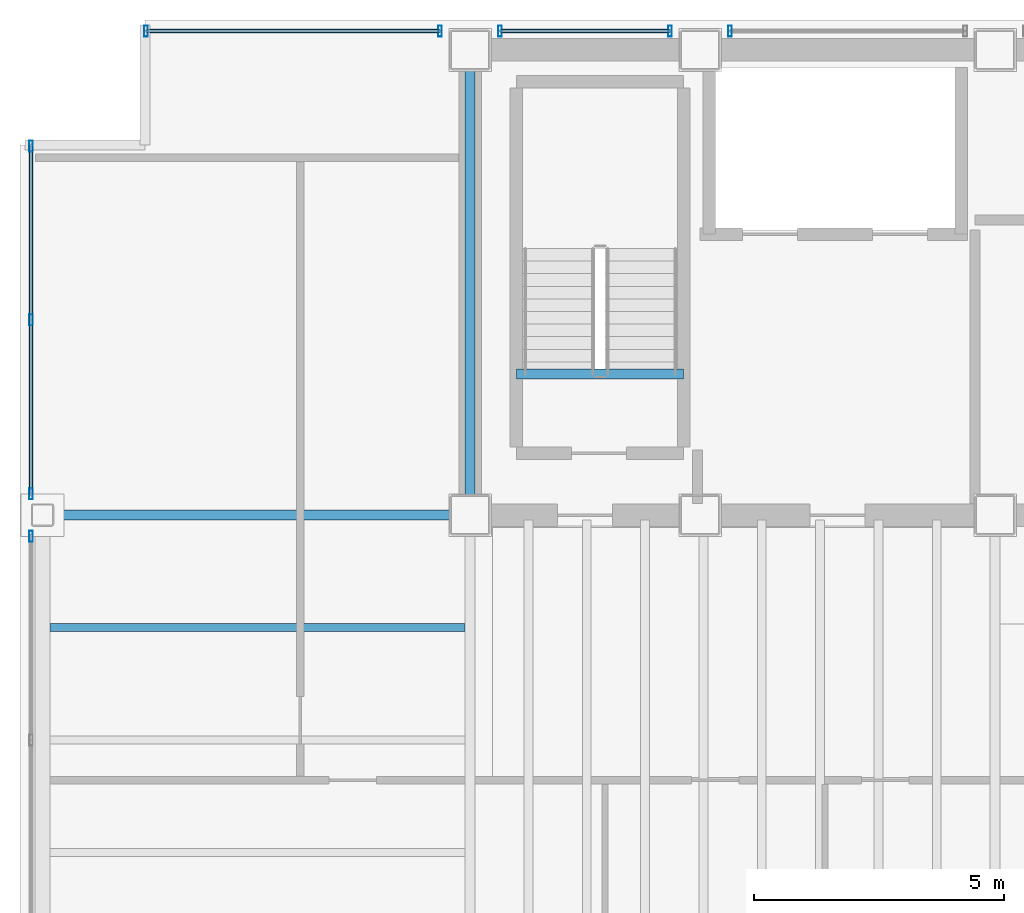
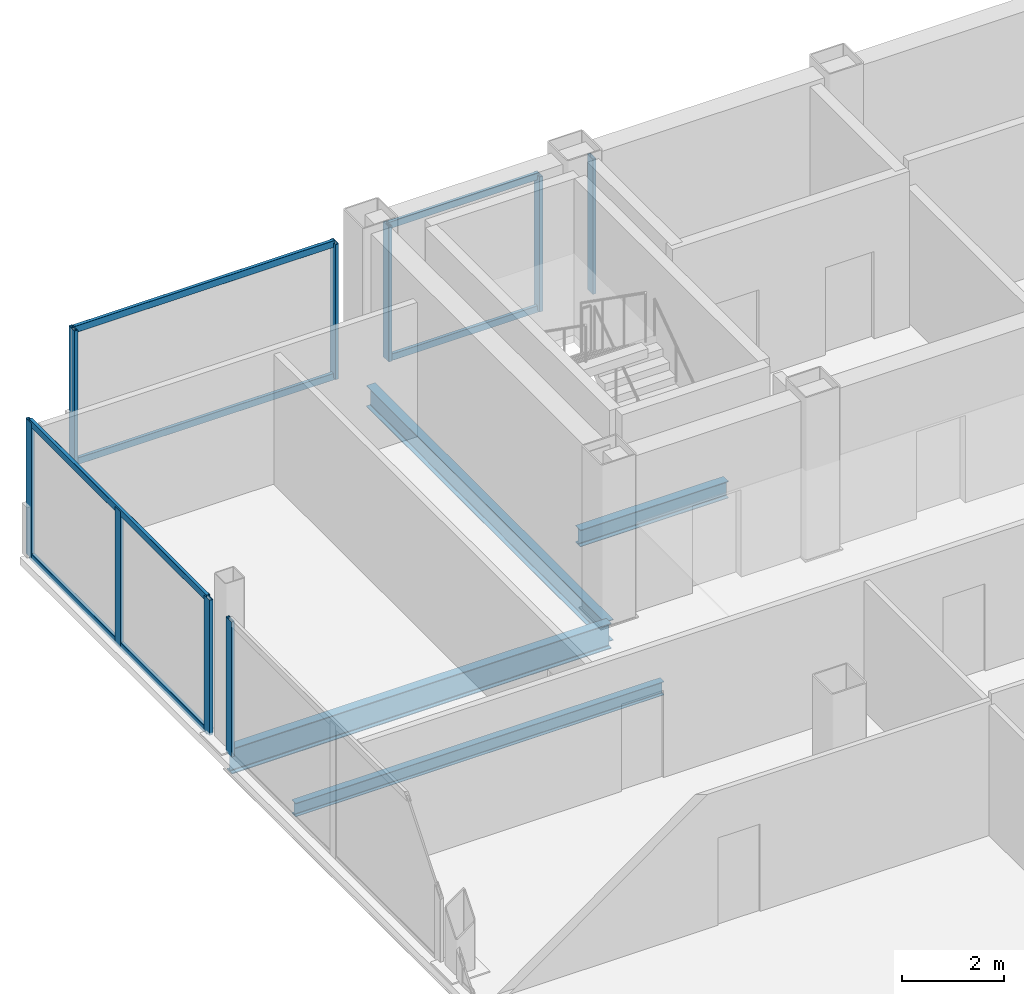
# One storey, part 8 of 17: 15 members, 4 beams, 5 elements without a shape of their own.
"""IFC4 building model written with IfcOpenShell, lengths in metres."""

import ifcopenshell
import ifcopenshell.guid

model = None  # the IFC model being written
_history = None  # IfcOwnerHistory: only IFC2X3 demands one
_inside = {}  # id of a spatial element -> (the spatial element, [elements in it])
_under = {}  # id of a project, library or spatial element -> (it, [spatial elements below it])
_declared = {}  # id of a project -> (the project, [libraries it declares])
_typed = {}  # id of a type object -> (the type object, [elements of that type])
_made_of = {}  # id of a material, layer set ... -> (it, [elements and type objects made of it])


def new_model(schema):
    """Start an empty IFC model of exactly this schema.

    Asked for "IFC4X3", IfcOpenShell would pick the latest addendum, in which some entities
    have other attributes; the version numbers below select the first issue.
    IFC2X3 requires an IfcOwnerHistory on every rooted entity: one is made here for all.
    """
    global model, _history
    if schema == "IFC4X3":
        model = ifcopenshell.file(schema_version=(4, 3, 0, 0))
    else:
        model = ifcopenshell.file(schema=schema)
    _inside.clear()
    _under.clear()
    _declared.clear()
    _typed.clear()
    _made_of.clear()
    _history = None
    if model.schema == "IFC2X3":
        org = make("IfcOrganization", Name="unknown")
        user = make(
            "IfcPersonAndOrganization",
            ThePerson=make("IfcPerson", FamilyName="unknown"),
            TheOrganization=org,
        )
        app = make(
            "IfcApplication",
            ApplicationDeveloper=org,
            Version="unknown",
            ApplicationFullName="unknown",
            ApplicationIdentifier="unknown",
        )
        _history = make(
            "IfcOwnerHistory",
            OwningUser=user,
            OwningApplication=app,
            ChangeAction="ADDED",
            CreationDate=0,
        )
    return model


def make(cls, **values):
    """One entity of the class cls with the attributes given. An attribute that is None is left unset."""
    return model.create_entity(
        cls, **{name: value for name, value in values.items() if value is not None}
    )


def rooted(cls, **values):
    """An entity with a GlobalId (a new one), such as an element, a storey or a relation."""
    return make(cls, GlobalId=ifcopenshell.guid.new(), OwnerHistory=_history, **values)


def si_unit(unit_type, name, prefix=None):
    """IfcSIUnit, for example si_unit("LENGTHUNIT", "METRE", prefix="MILLI")."""
    return make("IfcSIUnit", UnitType=unit_type, Prefix=prefix, Name=name)


def assignment(units):
    """IfcUnitAssignment: the units of a project."""
    return None if units is None else make("IfcUnitAssignment", Units=units)


def point(xyz):
    """IfcCartesianPoint."""
    return None if xyz is None else make("IfcCartesianPoint", Coordinates=xyz)


def direction(xyz):
    """IfcDirection."""
    return None if xyz is None else make("IfcDirection", DirectionRatios=xyz)


def frame(location, z_axis=None, x_axis=None):
    """IfcAxis2Placement3D, a coordinate frame: its origin and axes. An axis left out is left unset."""
    return make(
        "IfcAxis2Placement3D",
        Location=point(location),
        Axis=direction(z_axis),
        RefDirection=direction(x_axis),
    )


def frame_2d(location, x_axis=None):
    """IfcAxis2Placement2D, a coordinate frame in the plane: its origin and x axis."""
    return make(
        "IfcAxis2Placement2D", Location=point(location), RefDirection=direction(x_axis)
    )


def origin():
    """The frame at (0, 0, 0) with its axes left unset."""
    return frame((0.0, 0.0, 0.0))


def origin_2d():
    """The frame at (0, 0) in the plane with its x axis left unset."""
    return frame_2d((0.0, 0.0))


def place(relative_to, where):
    """IfcLocalPlacement: puts the frame where relative to a parent placement (None: the world)."""
    return make(
        "IfcLocalPlacement", PlacementRelTo=relative_to, RelativePlacement=where
    )


def context(
    kind, dimensions, precision=None, world=None, true_north=None, identifier=None
):
    """IfcGeometricRepresentationContext, for example the 3D "Model" context."""
    return make(
        "IfcGeometricRepresentationContext",
        ContextIdentifier=identifier,
        ContextType=kind,
        CoordinateSpaceDimension=dimensions,
        Precision=precision,
        WorldCoordinateSystem=world,
        TrueNorth=true_north,
    )


def subcontext(parent, identifier, kind, view, scale=None):
    """IfcGeometricRepresentationSubContext, for example "Body" below "Model"."""
    return make(
        "IfcGeometricRepresentationSubContext",
        ContextIdentifier=identifier,
        ContextType=kind,
        ParentContext=parent,
        TargetScale=scale,
        TargetView=view,
    )


def project(units=None, contexts=None):
    """IfcProject with its units and contexts."""
    return rooted(
        "IfcProject",
        Name="project",
        RepresentationContexts=contexts,
        UnitsInContext=assignment(units),
    )


def spatial(cls, under=None, at=None, **own):
    """A site, building, storey or space (cls), placed at a placement, below another one or the project."""
    s = rooted(cls, ObjectPlacement=at, **own)
    if under is not None:
        _under.setdefault(under.id(), (under, []))[1].append(s)
    return s


def profile(cls, at=None, kind="AREA", **sizes):
    """A parametric profile (cls). Its sizes go by their IFC names, for example OverallWidth=200.0."""
    return make(cls, ProfileType=kind, Position=at, **sizes)


def hollow_rectangle(**sizes):
    """IfcRectangleHollowProfileDef."""
    return profile("IfcRectangleHollowProfileDef", **sizes)


def i_section(**sizes):
    """IfcIShapeProfileDef."""
    return profile("IfcIShapeProfileDef", **sizes)


def extrude(swept, where, along, depth):
    """IfcExtrudedAreaSolid: the profile swept, set in the frame where, extruded along a direction by depth."""
    return make(
        "IfcExtrudedAreaSolid",
        SweptArea=swept,
        Position=where,
        ExtrudedDirection=direction(along),
        Depth=depth,
    )


def shape(context_of_items, identifier, shape_type, items):
    """IfcShapeRepresentation: the items that make up one representation, for example the "Body"."""
    return make(
        "IfcShapeRepresentation",
        ContextOfItems=context_of_items,
        RepresentationIdentifier=identifier,
        RepresentationType=shape_type,
        Items=items,
    )


def material(Name=None, Category=None):
    """IfcMaterial."""
    return make("IfcMaterial", Name=Name, Category=Category)


def material_profile(
    of_material, cross_section, Name=None, Category=None, Priority=None
):
    """IfcMaterialProfile: a cross section and its material."""
    return make(
        "IfcMaterialProfile",
        Name=Name,
        Material=of_material,
        Profile=cross_section,
        Priority=Priority,
        Category=Category,
    )


def profile_set(profiles, Name=None, composite=None):
    """IfcMaterialProfileSet."""
    return make(
        "IfcMaterialProfileSet",
        Name=Name,
        MaterialProfiles=profiles,
        CompositeProfile=composite,
    )


def made_of(thing, what):
    """Note that an element or type object is made of a material, layer set ...; save() writes the relation."""
    if what is not None:
        _made_of.setdefault(what.id(), (what, []))[1].append(thing)
    return thing


def type_object(cls, material=None, **own):
    """A type object (cls), such as IfcWallType, which elements share."""
    return made_of(rooted(cls, **own), material)


def element(
    cls,
    number,
    at=None,
    inside=None,
    cuts=None,
    type_object=None,
    material=None,
    context=None,
    identifier="Body",
    shape_type=None,
    held_by="IfcProductDefinitionShape",
    body=None,
    shapes=None,
    **own,
):
    """One element of the class cls, such as IfcWall. Its Tag is "e" and its number.

    at: its placement. inside: the storey or other place that contains it. cuts: it is an
    opening in that element (IfcRelVoidsElement). A single representation is given by context,
    identifier, shape_type and body (its items); several are given by shapes. held_by: the class
    of the entity that holds the representations. save() writes the other relations.
    """
    e = rooted(cls, Tag="e%d" % number, ObjectPlacement=at, **own)
    if body is not None:
        shapes = [shape(context, identifier, shape_type, body)]
    if shapes is not None:
        e.Representation = make(held_by, Representations=shapes)
    if inside is not None:
        _inside.setdefault(inside.id(), (inside, []))[1].append(e)
    if cuts is not None:
        rooted(
            "IfcRelVoidsElement", RelatingBuildingElement=cuts, RelatedOpeningElement=e
        )
    if type_object is not None:
        _typed.setdefault(type_object.id(), (type_object, []))[1].append(e)
    return made_of(e, material)


def aggregate(whole, parts):
    """IfcRelAggregates: a whole, such as a stair, and the parts it consists of."""
    return rooted("IfcRelAggregates", RelatingObject=whole, RelatedObjects=parts)


def save(model, path):
    """Write the relations noted so far, then the file.

    IfcRelAggregates (storeys below a building ...), IfcRelContainedInSpatialStructure (elements
    in a storey), IfcRelDefinesByType, IfcRelAssociatesMaterial and IfcRelDeclares: one each for
    every whole, place, type object, material and project.
    """
    for whole, parts in _under.values():
        aggregate(whole, parts)
    for where, things in _inside.values():
        rooted(
            "IfcRelContainedInSpatialStructure",
            RelatedElements=things,
            RelatingStructure=where,
        )
    for kind, things in _typed.values():
        rooted("IfcRelDefinesByType", RelatedObjects=things, RelatingType=kind)
    for what, things in _made_of.values():
        rooted("IfcRelAssociatesMaterial", RelatedObjects=things, RelatingMaterial=what)
    for by, libraries in _declared.values():
        rooted("IfcRelDeclares", RelatingContext=by, RelatedDefinitions=libraries)
    model.write(path)


model = new_model("IFC4")

# Units and contexts
model_context = context("Model", 3, precision=1e-05, world=origin(), true_north=direction((0.0, 1.0)))
body_context = subcontext(model_context, "Body", "Model", "MODEL_VIEW")
ifc_project = project(units=[si_unit("LENGTHUNIT", "METRE"), si_unit("AREAUNIT", "SQUARE_METRE"), si_unit("VOLUMEUNIT", "CUBIC_METRE"), si_unit("PLANEANGLEUNIT", "RADIAN"), si_unit("MASSUNIT", "GRAM", prefix="KILO")], contexts=[model_context])

# Site, building, storey
site_placement = place(None, origin())
site = spatial("IfcSite", under=ifc_project, at=site_placement, CompositionType="ELEMENT")
building_placement = place(site_placement, origin())
building = spatial("IfcBuilding", under=site, at=building_placement, Name="Noeulbin Bourse Tower", CompositionType="ELEMENT")
storey_placement = place(building_placement, frame((0.0, 0.0, 242.300048828125)))
storey = spatial("IfcBuildingStorey", under=building, at=storey_placement, Name="L60", CompositionType="ELEMENT", Elevation=242.300048828125)

# Beams
ifc_material_1 = material(Name="Steel S355", Category="steel")
ifc_material_profile_1 = material_profile(ifc_material_1, i_section(OverallWidth=0.199951171875, OverallDepth=0.5, WebThickness=0.010009765625, FlangeThickness=0.01611328125, FilletRadius=0.02001953125, at=origin_2d()), Name="H-500x200x10x16", Category="LoadBearing")
ifc_profile_set_1 = profile_set([ifc_material_profile_1], Name="Steel S355")
beam_type_1 = type_object("IfcBeamType", Name="BM-GRD-500", PredefinedType="USERDEFINED", material=ifc_profile_set_1)
beam_1_placement = place(storey_placement, frame((13.5, 29.0, -0.429931640625), z_axis=(0.0, 1.0, 0.0), x_axis=(-1.0, 0.0, 0.0)))
element("IfcBeam", 1, at=beam_1_placement, inside=storey, type_object=beam_type_1, Name="Tower Primary Girder NS L60-1.3", ObjectType="GIRDER", PredefinedType="USERDEFINED", context=body_context, shape_type="SweptSolid", body=[
    extrude(i_section(OverallWidth=0.199951171875, OverallDepth=0.5, WebThickness=0.010009765625, FlangeThickness=0.01611328125, FilletRadius=0.02001953125, at=origin_2d()), origin(), (0.0, 0.0, 1.0), 9.300048828125),
])
ifc_material_profile_2 = material_profile(ifc_material_1, i_section(OverallWidth=0.199951171875, OverallDepth=0.60009765625, WebThickness=0.010986328125, FlangeThickness=0.01708984375, FilletRadius=0.02197265625, at=origin_2d()), Name="H-600x200x11x17", Category="LoadBearing")
ifc_profile_set_2 = profile_set([ifc_material_profile_2], Name="Steel S355")
beam_type_2 = type_object("IfcBeamType", Name="BM-GRD-600", PredefinedType="USERDEFINED", material=ifc_profile_set_2)
beam_2_placement = place(storey_placement, frame((4.949951171875, 29.0, -0.47998046875), z_axis=(1.0, 0.0, 0.0), x_axis=(0.0, 1.0, 0.0)))
element("IfcBeam", 2, at=beam_2_placement, inside=storey, type_object=beam_type_2, Name="Tower Primary Girder EW L60-2.1", ObjectType="GIRDER", PredefinedType="USERDEFINED", context=body_context, shape_type="SweptSolid", body=[
    extrude(i_section(OverallWidth=0.199951171875, OverallDepth=0.60009765625, WebThickness=0.010986328125, FlangeThickness=0.01708984375, FilletRadius=0.02197265625, at=origin_2d()), origin(), (0.0, 0.0, 1.0), 8.550048828125),
])
ifc_material_profile_3 = material_profile(ifc_material_1, i_section(OverallWidth=0.159912109375, OverallDepth=0.320068359375, WebThickness=0.006591796875, FlangeThickness=0.010009765625, FilletRadius=0.012939453125, at=origin_2d()), Name="H-320x160x6.5x10", Category="LoadBearing")
ifc_profile_set_3 = profile_set([ifc_material_profile_3], Name="Steel S355")
beam_type_3 = type_object("IfcBeamType", Name="BM-JST-320", PredefinedType="JOIST", material=ifc_profile_set_3)
beam_3_placement = place(storey_placement, frame((5.10009765625, 26.75, -0.340087890625), z_axis=(1.0, 0.0, 0.0), x_axis=(0.0, 1.0, 0.0)))
element("IfcBeam", 3, at=beam_3_placement, inside=storey, type_object=beam_type_3, Name="Wing Composite Joist L60-W39", PredefinedType="JOIST", context=body_context, shape_type="SweptSolid", body=[
    extrude(i_section(OverallWidth=0.159912109375, OverallDepth=0.320068359375, WebThickness=0.006591796875, FlangeThickness=0.010009765625, FilletRadius=0.012939453125, at=origin_2d()), origin(), (0.0, 0.0, 1.0), 8.2998046875),
])
ifc_material_profile_4 = material_profile(ifc_material_1, i_section(OverallWidth=0.199951171875, OverallDepth=0.39990234375, WebThickness=0.008056640625, FlangeThickness=0.012939453125, FilletRadius=0.01611328125, at=origin_2d()), Name="H-400x200x8x13", Category="LoadBearing")
ifc_profile_set_4 = profile_set([ifc_material_profile_4], Name="Steel S355")
beam_type_4 = type_object("IfcBeamType", Name="BM-SEC-400", PredefinedType="BEAM", material=ifc_profile_set_4)
beam_4_placement = place(storey_placement, frame((14.429931640625, 31.820068359375, -0.199951171875), z_axis=(1.0, 0.0, 0.0), x_axis=(0.0, 1.0, 0.0)))
element("IfcBeam", 4, at=beam_4_placement, inside=storey, type_object=beam_type_4, Name="Stair Threshold Trimmer Beam ST1-L60", PredefinedType="BEAM", context=body_context, shape_type="SweptSolid", body=[
    extrude(i_section(OverallWidth=0.199951171875, OverallDepth=0.39990234375, WebThickness=0.008056640625, FlangeThickness=0.012939453125, FilletRadius=0.01611328125, at=origin_2d()), origin(), (0.0, 0.0, 1.0), 3.340087890625),
])

# Curtain wall, members
ifc_material_2 = material(Name="High-Selectivity Low-Iron Glazing", Category="glass")
curtain_wall_type = type_object("IfcCurtainWallType", Name="CW-SYS-4", PredefinedType="NOTDEFINED", material=ifc_material_2)
curtain_wall_1_placement = place(storey_placement, origin())
curtain_wall_1 = element("IfcCurtainWall", 5, at=curtain_wall_1_placement, inside=storey, type_object=curtain_wall_type, Name="Unitised Curtain Wall CW-L60-N-S1", PredefinedType="NOTDEFINED")
ifc_material_3 = material(Name="Anodised Aluminium 6063-T6", Category="aluminium")
ifc_material_profile_5 = material_profile(ifc_material_3, hollow_rectangle(XDim=0.074951171875, YDim=0.219970703125, WallThickness=0.0048828125, InnerFilletRadius=0.00244140625, OuterFilletRadius=0.0048828125, at=origin_2d()), Name="ALU-MULL-75x220x5", Category="LoadBearing")
ifc_profile_set_5 = profile_set([ifc_material_profile_5], Name="Anodised Aluminium 6063-T6")
member_type_1 = type_object("IfcMemberType", Name="CW-SYS-4-MUL", PredefinedType="MULLION", material=ifc_profile_set_5)
member_1_placement = place(storey_placement, frame((7.02001953125, 38.679931640625, -0.02001953125), z_axis=(0.0, 0.0, 1.0), x_axis=(1.0, 0.0, 0.0)))
member_1 = element("IfcMember", 6, at=member_1_placement, type_object=member_type_1, Name="Curtain Wall Mullion CW-L60-N-S1-M00", PredefinedType="MULLION", context=body_context, shape_type="SweptSolid", body=[
    extrude(hollow_rectangle(XDim=0.074951171875, YDim=0.219970703125, WallThickness=0.0048828125, InnerFilletRadius=0.00244140625, OuterFilletRadius=0.0048828125, at=origin_2d()), origin(), (0.0, 0.0, 1.0), 3.219970703125),
])
member_2_placement = place(storey_placement, frame((12.89990234375, 38.679931640625, -0.02001953125), z_axis=(0.0, 0.0, 1.0), x_axis=(1.0, 0.0, 0.0)))
member_2 = element("IfcMember", 7, at=member_2_placement, type_object=member_type_1, Name="Curtain Wall Mullion CW-L60-N-S1-M01", PredefinedType="MULLION", context=body_context, shape_type="SweptSolid", body=[
    extrude(hollow_rectangle(XDim=0.074951171875, YDim=0.219970703125, WallThickness=0.0048828125, InnerFilletRadius=0.00244140625, OuterFilletRadius=0.0048828125, at=origin_2d()), origin(), (0.0, 0.0, 1.0), 3.219970703125),
])

curtain_wall_2_placement = place(storey_placement, origin())
curtain_wall_2 = element("IfcCurtainWall", 8, at=curtain_wall_2_placement, inside=storey, type_object=curtain_wall_type, Name="Unitised Curtain Wall CW-L60-N-S2", PredefinedType="NOTDEFINED")
member_3_placement = place(storey_placement, frame((14.10009765625, 38.679931640625, -0.02001953125), z_axis=(0.0, 0.0, 1.0), x_axis=(1.0, 0.0, 0.0)))
member_3 = element("IfcMember", 9, at=member_3_placement, type_object=member_type_1, Name="Curtain Wall Mullion CW-L60-N-S2-M00", PredefinedType="MULLION", context=body_context, shape_type="SweptSolid", body=[
    extrude(hollow_rectangle(XDim=0.074951171875, YDim=0.219970703125, WallThickness=0.0048828125, InnerFilletRadius=0.00244140625, OuterFilletRadius=0.0048828125, at=origin_2d()), origin(), (0.0, 0.0, 1.0), 3.219970703125),
])
member_4_placement = place(storey_placement, frame((17.5, 38.679931640625, -0.02001953125), z_axis=(0.0, 0.0, 1.0), x_axis=(1.0, 0.0, 0.0)))
member_4 = element("IfcMember", 10, at=member_4_placement, type_object=member_type_1, Name="Curtain Wall Mullion CW-L60-N-S2-M01", PredefinedType="MULLION", context=body_context, shape_type="SweptSolid", body=[
    extrude(hollow_rectangle(XDim=0.074951171875, YDim=0.219970703125, WallThickness=0.0048828125, InnerFilletRadius=0.00244140625, OuterFilletRadius=0.0048828125, at=origin_2d()), origin(), (0.0, 0.0, 1.0), 3.219970703125),
])

# Curtain wall, member
curtain_wall_3_placement = place(storey_placement, origin())
curtain_wall_3 = element("IfcCurtainWall", 11, at=curtain_wall_3_placement, inside=storey, type_object=curtain_wall_type, Name="Unitised Curtain Wall CW-L60-N-S3", PredefinedType="NOTDEFINED")
member_5_placement = place(storey_placement, frame((18.699951171875, 38.679931640625, -0.02001953125), z_axis=(0.0, 0.0, 1.0), x_axis=(1.0, 0.0, 0.0)))
member_5 = element("IfcMember", 12, at=member_5_placement, type_object=member_type_1, Name="Curtain Wall Mullion CW-L60-N-S3-M00", PredefinedType="MULLION", context=body_context, shape_type="SweptSolid", body=[
    extrude(hollow_rectangle(XDim=0.074951171875, YDim=0.219970703125, WallThickness=0.0048828125, InnerFilletRadius=0.00244140625, OuterFilletRadius=0.0048828125, at=origin_2d()), origin(), (0.0, 0.0, 1.0), 3.219970703125),
])
aggregate(curtain_wall_3, [member_5])

curtain_wall_4_placement = place(storey_placement, origin())
curtain_wall_4 = element("IfcCurtainWall", 13, at=curtain_wall_4_placement, inside=storey, type_object=curtain_wall_type, Name="Unitised Curtain Wall CW-L60-W-S2", PredefinedType="NOTDEFINED")
member_6_placement = place(storey_placement, frame((4.719970703125, 28.574951171875, -0.02001953125), z_axis=(0.0, 0.0, 1.0), x_axis=(1.0, 0.0, 0.0)))
member_6 = element("IfcMember", 14, at=member_6_placement, type_object=member_type_1, Name="Curtain Wall Mullion CW-L60-W-S2-M02", PredefinedType="MULLION", context=body_context, shape_type="SweptSolid", body=[
    extrude(hollow_rectangle(XDim=0.074951171875, YDim=0.219970703125, WallThickness=0.0048828125, InnerFilletRadius=0.00244140625, OuterFilletRadius=0.0048828125, at=origin_2d()), origin(), (0.0, 0.0, 1.0), 3.219970703125),
])
aggregate(curtain_wall_4, [member_6])

# Curtain wall, members
curtain_wall_5_placement = place(storey_placement, origin())
curtain_wall_5 = element("IfcCurtainWall", 15, at=curtain_wall_5_placement, inside=storey, type_object=curtain_wall_type, Name="Unitised Curtain Wall CW-L60-W-S3", PredefinedType="NOTDEFINED")
member_7_placement = place(storey_placement, frame((4.719970703125, 29.425048828125, -0.02001953125), z_axis=(0.0, 0.0, 1.0), x_axis=(1.0, 0.0, 0.0)))
member_7 = element("IfcMember", 16, at=member_7_placement, type_object=member_type_1, Name="Curtain Wall Mullion CW-L60-W-S3-M00", PredefinedType="MULLION", context=body_context, shape_type="SweptSolid", body=[
    extrude(hollow_rectangle(XDim=0.074951171875, YDim=0.219970703125, WallThickness=0.0048828125, InnerFilletRadius=0.00244140625, OuterFilletRadius=0.0048828125, at=origin_2d()), origin(), (0.0, 0.0, 1.0), 3.219970703125),
])
member_8_placement = place(storey_placement, frame((4.719970703125, 32.902587890625, -0.02001953125), z_axis=(0.0, 0.0, 1.0), x_axis=(1.0, 0.0, 0.0)))
member_8 = element("IfcMember", 17, at=member_8_placement, type_object=member_type_1, Name="Curtain Wall Mullion CW-L60-W-S3-M01", PredefinedType="MULLION", context=body_context, shape_type="SweptSolid", body=[
    extrude(hollow_rectangle(XDim=0.074951171875, YDim=0.219970703125, WallThickness=0.0048828125, InnerFilletRadius=0.00244140625, OuterFilletRadius=0.0048828125, at=origin_2d()), origin(), (0.0, 0.0, 1.0), 3.219970703125),
])
member_9_placement = place(storey_placement, frame((4.719970703125, 36.3798828125, -0.02001953125), z_axis=(0.0, 0.0, 1.0), x_axis=(1.0, 0.0, 0.0)))
member_9 = element("IfcMember", 18, at=member_9_placement, type_object=member_type_1, Name="Curtain Wall Mullion CW-L60-W-S3-M02", PredefinedType="MULLION", context=body_context, shape_type="SweptSolid", body=[
    extrude(hollow_rectangle(XDim=0.074951171875, YDim=0.219970703125, WallThickness=0.0048828125, InnerFilletRadius=0.00244140625, OuterFilletRadius=0.0048828125, at=origin_2d()), origin(), (0.0, 0.0, 1.0), 3.219970703125),
])

# Member
ifc_material_profile_6 = material_profile(ifc_material_3, hollow_rectangle(XDim=0.074951171875, YDim=0.159912109375, WallThickness=0.0048828125, InnerFilletRadius=0.00244140625, OuterFilletRadius=0.0048828125, at=origin_2d()), Name="ALU-TRAN-75x160x5", Category="LoadBearing")
ifc_profile_set_6 = profile_set([ifc_material_profile_6], Name="Anodised Aluminium 6063-T6")
member_type_2 = type_object("IfcMemberType", Name="CW-SYS-4-TRN", PredefinedType="USERDEFINED", material=ifc_profile_set_6)
member_10_placement = place(storey_placement, frame((7.030029296875, 38.679931640625, 0.010009765625), z_axis=(1.0, 0.0, 0.0), x_axis=(0.0, 1.0, 0.0)))
member_10 = element("IfcMember", 19, at=member_10_placement, type_object=member_type_2, Name="Curtain Wall Transom CW-L60-N-S1-T00", ObjectType="TRANSOM", PredefinedType="USERDEFINED", context=body_context, shape_type="SweptSolid", body=[
    extrude(hollow_rectangle(XDim=0.074951171875, YDim=0.159912109375, WallThickness=0.0048828125, InnerFilletRadius=0.00244140625, OuterFilletRadius=0.0048828125, at=origin_2d()), origin(), (0.0, 0.0, 1.0), 5.85986328125),
])

member_11_placement = place(storey_placement, frame((7.030029296875, 38.679931640625, 3.169921875), z_axis=(1.0, 0.0, 0.0), x_axis=(0.0, 1.0, 0.0)))
member_11 = element("IfcMember", 20, at=member_11_placement, type_object=member_type_2, Name="Curtain Wall Transom CW-L60-N-S1-T01", ObjectType="TRANSOM", PredefinedType="USERDEFINED", context=body_context, shape_type="SweptSolid", body=[
    extrude(hollow_rectangle(XDim=0.074951171875, YDim=0.159912109375, WallThickness=0.0048828125, InnerFilletRadius=0.00244140625, OuterFilletRadius=0.0048828125, at=origin_2d()), origin(), (0.0, 0.0, 1.0), 5.85986328125),
])

aggregate(curtain_wall_1, [member_1, member_2, member_10, member_11])

member_12_placement = place(storey_placement, frame((14.110107421875, 38.679931640625, 0.010009765625), z_axis=(1.0, 0.0, 0.0), x_axis=(0.0, 1.0, 0.0)))
member_12 = element("IfcMember", 21, at=member_12_placement, type_object=member_type_2, Name="Curtain Wall Transom CW-L60-N-S2-T00", ObjectType="TRANSOM", PredefinedType="USERDEFINED", context=body_context, shape_type="SweptSolid", body=[
    extrude(hollow_rectangle(XDim=0.074951171875, YDim=0.159912109375, WallThickness=0.0048828125, InnerFilletRadius=0.00244140625, OuterFilletRadius=0.0048828125, at=origin_2d()), origin(), (0.0, 0.0, 1.0), 3.3798828125),
])

member_13_placement = place(storey_placement, frame((14.110107421875, 38.679931640625, 3.169921875), z_axis=(1.0, 0.0, 0.0), x_axis=(0.0, 1.0, 0.0)))
member_13 = element("IfcMember", 22, at=member_13_placement, type_object=member_type_2, Name="Curtain Wall Transom CW-L60-N-S2-T01", ObjectType="TRANSOM", PredefinedType="USERDEFINED", context=body_context, shape_type="SweptSolid", body=[
    extrude(hollow_rectangle(XDim=0.074951171875, YDim=0.159912109375, WallThickness=0.0048828125, InnerFilletRadius=0.00244140625, OuterFilletRadius=0.0048828125, at=origin_2d()), origin(), (0.0, 0.0, 1.0), 3.3798828125),
])

aggregate(curtain_wall_2, [member_3, member_4, member_12, member_13])

member_14_placement = place(storey_placement, frame((4.719970703125, 29.43505859375, 0.010009765625), z_axis=(0.0, 1.0, 0.0), x_axis=(-1.0, 0.0, 0.0)))
member_14 = element("IfcMember", 23, at=member_14_placement, type_object=member_type_2, Name="Curtain Wall Transom CW-L60-W-S3-T00", ObjectType="TRANSOM", PredefinedType="USERDEFINED", context=body_context, shape_type="SweptSolid", body=[
    extrude(hollow_rectangle(XDim=0.074951171875, YDim=0.159912109375, WallThickness=0.0048828125, InnerFilletRadius=0.00244140625, OuterFilletRadius=0.0048828125, at=origin_2d()), origin(), (0.0, 0.0, 1.0), 6.93505859375),
])

member_15_placement = place(storey_placement, frame((4.719970703125, 29.43505859375, 3.169921875), z_axis=(0.0, 1.0, 0.0), x_axis=(-1.0, 0.0, 0.0)))
member_15 = element("IfcMember", 24, at=member_15_placement, type_object=member_type_2, Name="Curtain Wall Transom CW-L60-W-S3-T01", ObjectType="TRANSOM", PredefinedType="USERDEFINED", context=body_context, shape_type="SweptSolid", body=[
    extrude(hollow_rectangle(XDim=0.074951171875, YDim=0.159912109375, WallThickness=0.0048828125, InnerFilletRadius=0.00244140625, OuterFilletRadius=0.0048828125, at=origin_2d()), origin(), (0.0, 0.0, 1.0), 6.93505859375),
])

aggregate(curtain_wall_5, [member_7, member_8, member_9, member_14, member_15])

save(model, "model.ifc")
